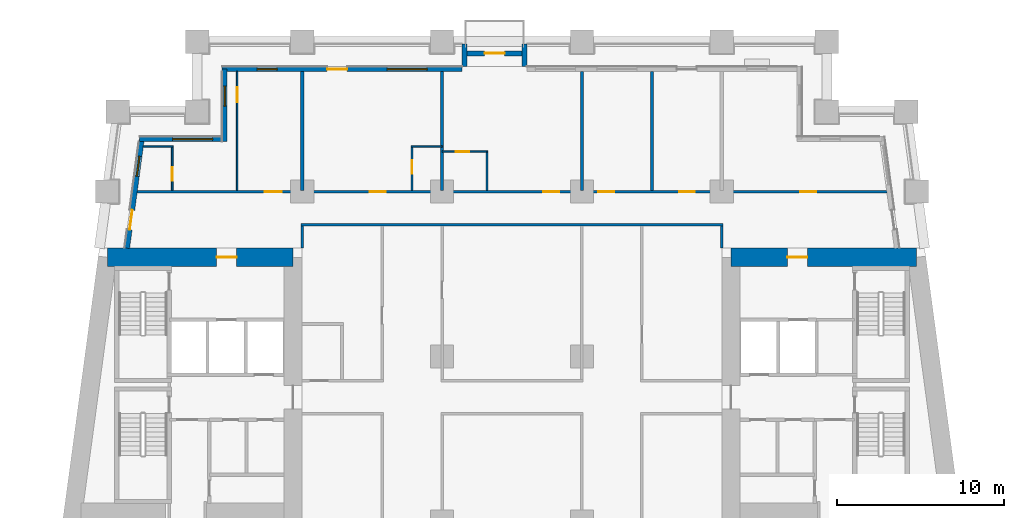
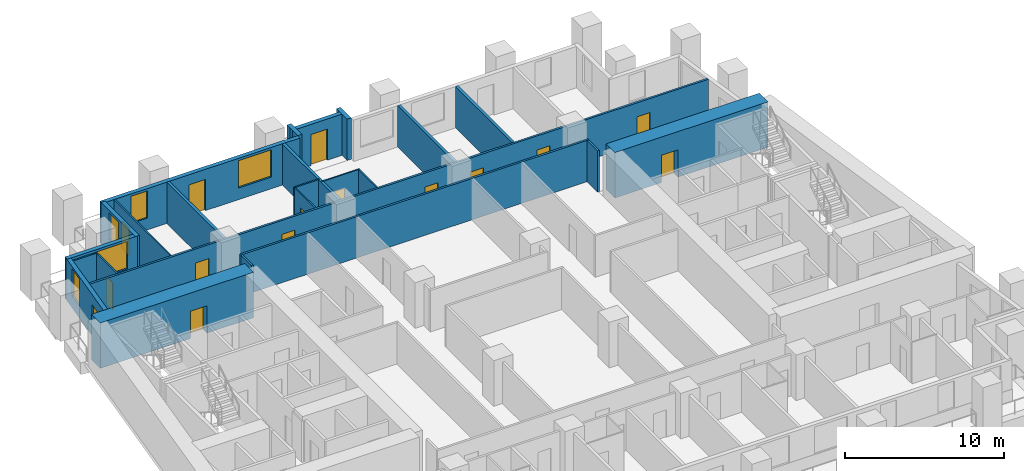
# One storey, part 6 of 12: 24 walls, 15 doors, 5 windows, 20 openings.
"""IFC4 building model written with IfcOpenShell, lengths in metres."""

from ifc_helpers import new_model, si_unit, direction, frame, frame_2d, origin, place, context, subcontext, project, spatial, rectangle, extrude, material, layer, layer_set, type_object, element, fill, save


model = new_model("IFC4")

# Units and contexts
model_context = context("Model", 3, precision=1e-05, world=origin(), true_north=direction((0.0, 1.0)))
body_context = subcontext(model_context, "Body", "Model", "MODEL_VIEW")
ifc_project = project(units=[si_unit("LENGTHUNIT", "METRE"), si_unit("AREAUNIT", "SQUARE_METRE"), si_unit("VOLUMEUNIT", "CUBIC_METRE"), si_unit("PLANEANGLEUNIT", "RADIAN"), si_unit("MASSUNIT", "GRAM", prefix="KILO")], contexts=[model_context])

# Site, building, storey
site_placement = place(None, origin())
site = spatial("IfcSite", under=ifc_project, at=site_placement, CompositionType="ELEMENT")
building_placement = place(site_placement, origin())
building = spatial("IfcBuilding", under=site, at=building_placement, Name="Candeia Pilgrim Tower and Theatre", CompositionType="ELEMENT")
storey_placement = place(building_placement, frame((0.0, 0.0, 53.0)))
storey = spatial("IfcBuildingStorey", under=building, at=storey_placement, Name="L10", CompositionType="ELEMENT", Elevation=53.0)

# Wall, opening, door
ifc_material_1 = material(Name="Concrete C80/95", Category="concrete")
ifc_layer_1 = layer(ifc_material_1, 1.10009765625)
ifc_layer_set_1 = layer_set([ifc_layer_1], Name="Core wall 1100 C80/95")
wall_type_1 = type_object("IfcWallType", Name="Core wall 1100 C80/95", PredefinedType="SHEAR", material=ifc_layer_set_1)
wall_1_placement = place(storey_placement, frame((89.111572265625, 131.85009765625, 0.0), z_axis=(0.0, 0.0, 1.0), x_axis=(1.0, 0.0, 0.0)))
wall_1 = element("IfcWall", 1, at=wall_1_placement, inside=storey, type_object=wall_type_1, Name="Core wall W1", PredefinedType="SHEAR", context=body_context, shape_type="SweptSolid", body=[
    extrude(rectangle(XDim=11.138427734375, YDim=1.10009765625, at=frame_2d((5.5693359375, 0.0))), origin(), (0.0, 0.0, 1.0), 3.5),
])
opening_1_placement = place(wall_1_placement, frame((6.5517578125, 0.0, 0.0)))
opening_1 = element("IfcOpeningElement", 2, at=opening_1_placement, cuts=wall_1, Name="Opening L10-D053", PredefinedType="OPENING", context=body_context, shape_type="SweptSolid", body=[
    extrude(rectangle(XDim=1.199951171875, YDim=2.10009765625, at=frame_2d((0.60009765625, 1.050048828125))), frame((0.0, 0.56005859375, 0.0), z_axis=(0.0, -1.0, 0.0), x_axis=(1.0, 0.0, 0.0)), (0.0, 0.0, 1.0), 1.1201171875),
])
ifc_material_2 = material(Name="Steel fire door set", Category="steel")
door_type_1 = type_object("IfcDoorType", Name="D-1200-FD60", OperationType="NOTDEFINED", PredefinedType="DOOR", material=ifc_material_2)
door_1_placement = place(opening_1_placement, origin())
door_1 = element("IfcDoor", 3, at=door_1_placement, inside=storey, type_object=door_type_1, Name="Door L10-D053", OperationType="SINGLE_SWING_LEFT", OverallHeight=2.10009765625, OverallWidth=1.199951171875, PredefinedType="DOOR", context=body_context, shape_type="SweptSolid", body=[
    extrude(rectangle(XDim=1.199951171875, YDim=2.10009765625, at=frame_2d((0.60009765625, 1.050048828125))), frame((0.0, 0.02490234375, 0.0), z_axis=(0.0, -1.0, 0.0), x_axis=(1.0, 0.0, 0.0)), (0.0, 0.0, 1.0), 0.050048828125),
])
fill(opening_1, door_1)

wall_2_placement = place(storey_placement, frame((126.550048828125, 131.85009765625, 0.0), z_axis=(0.0, 0.0, 1.0), x_axis=(1.0, 0.0, 0.0)))
wall_2 = element("IfcWall", 4, at=wall_2_placement, inside=storey, type_object=wall_type_1, Name="Core wall E1", PredefinedType="SHEAR", context=body_context, shape_type="SweptSolid", body=[
    extrude(rectangle(XDim=11.13818359375, YDim=1.10009765625, at=frame_2d((5.569091796875, 0.0))), origin(), (0.0, 0.0, 1.0), 3.5),
])
opening_2_placement = place(wall_2_placement, frame((3.386474609375, 0.0, 0.0)))
opening_2 = element("IfcOpeningElement", 5, at=opening_2_placement, cuts=wall_2, Name="Opening L10-D056", PredefinedType="OPENING", context=body_context, shape_type="SweptSolid", body=[
    extrude(rectangle(XDim=1.199951171875, YDim=2.10009765625, at=frame_2d((0.60009765625, 1.050048828125))), frame((0.0, 0.56005859375, 0.0), z_axis=(0.0, -1.0, 0.0), x_axis=(1.0, 0.0, 0.0)), (0.0, 0.0, 1.0), 1.1201171875),
])
door_2_placement = place(opening_2_placement, origin())
door_2 = element("IfcDoor", 6, at=door_2_placement, inside=storey, type_object=door_type_1, Name="Door L10-D056", OperationType="SINGLE_SWING_RIGHT", OverallHeight=2.10009765625, OverallWidth=1.199951171875, PredefinedType="DOOR", context=body_context, shape_type="SweptSolid", body=[
    extrude(rectangle(XDim=1.199951171875, YDim=2.10009765625, at=frame_2d((0.60009765625, 1.050048828125))), frame((0.0, 0.02490234375, 0.0), z_axis=(0.0, -1.0, 0.0), x_axis=(1.0, 0.0, 0.0)), (0.0, 0.0, 1.0), 0.050048828125),
])
fill(opening_2, door_2)

# Wall, openings, door, windows
ifc_material_3 = material(Name="Ceramic block masonry", Category="masonry")
ifc_layer_2 = layer(ifc_material_3, 0.300048828125)
ifc_layer_set_2 = layer_set([ifc_layer_2], Name="EW1 glazing-line wall 300")
wall_type_2 = type_object("IfcWallType", Name="EW1 glazing-line wall 300", PredefinedType="SOLIDWALL", material=ifc_layer_set_2)
wall_3_placement = place(storey_placement, frame((110.39990234375, 143.14990234375, 0.0), z_axis=(0.0, 0.0, 1.0), x_axis=(-1.0, 0.0, 0.0)))
wall_3 = element("IfcWall", 7, at=wall_3_placement, inside=storey, type_object=wall_type_2, Name="External wall L10-6.1", PredefinedType="SOLIDWALL", context=body_context, shape_type="SweptSolid", body=[
    extrude(rectangle(XDim=14.39990234375, YDim=0.300048828125, at=frame_2d((7.199951171875, 0.0))), origin(), (0.0, 0.0, 1.0), 3.179931640625),
])
opening_3_placement = place(wall_3_placement, frame((2.10009765625, 0.0, 0.89990234375)))
opening_3 = element("IfcOpeningElement", 8, at=opening_3_placement, cuts=wall_3, Name="Opening W-A", PredefinedType="OPENING", context=body_context, shape_type="SweptSolid", body=[
    extrude(rectangle(XDim=2.39990234375, YDim=2.10009765625, at=frame_2d((1.199951171875, 1.050048828125))), frame((0.0, 0.16015625, 0.0), z_axis=(0.0, -1.0, 0.0), x_axis=(1.0, 0.0, 0.0)), (0.0, 0.0, 1.0), 0.320068359375),
])
opening_4_placement = place(wall_3_placement, frame((6.89990234375, 0.0, 0.0)))
opening_4 = element("IfcOpeningElement", 9, at=opening_4_placement, cuts=wall_3, Name="Opening L10-ED124", PredefinedType="OPENING", context=body_context, shape_type="SweptSolid", body=[
    extrude(rectangle(XDim=1.199951171875, YDim=2.39990234375, at=frame_2d((0.60009765625, 1.199951171875))), frame((0.0, 0.16015625, 0.0), z_axis=(0.0, -1.0, 0.0), x_axis=(1.0, 0.0, 0.0)), (0.0, 0.0, 1.0), 0.320068359375),
])
opening_5_placement = place(wall_3_placement, frame((11.10009765625, 0.0, 0.89990234375)))
opening_5 = element("IfcOpeningElement", 10, at=opening_5_placement, cuts=wall_3, Name="Opening W-B", PredefinedType="OPENING", context=body_context, shape_type="SweptSolid", body=[
    extrude(rectangle(XDim=1.199951171875, YDim=2.10009765625, at=frame_2d((0.60009765625, 1.050048828125))), frame((0.0, 0.16015625, 0.0), z_axis=(0.0, -1.0, 0.0), x_axis=(1.0, 0.0, 0.0)), (0.0, 0.0, 1.0), 0.320068359375),
])
ifc_material_4 = material(Name="Aluminium framed glazed door", Category="aluminium")
door_type_2 = type_object("IfcDoorType", Name="Loggia door 1200x2400", OperationType="DOUBLE_DOOR_SINGLE_SWING", PredefinedType="DOOR", material=ifc_material_4)
door_3_placement = place(opening_4_placement, origin())
door_3 = element("IfcDoor", 11, at=door_3_placement, inside=storey, type_object=door_type_2, Name="Loggia door L10-ED124", OperationType="DOUBLE_DOOR_SINGLE_SWING", OverallHeight=2.39990234375, OverallWidth=1.199951171875, PredefinedType="DOOR", context=body_context, shape_type="SweptSolid", body=[
    extrude(rectangle(XDim=1.199951171875, YDim=2.39990234375, at=frame_2d((0.60009765625, 1.199951171875))), frame((0.0, 0.02490234375, 0.0), z_axis=(0.0, -1.0, 0.0), x_axis=(1.0, 0.0, 0.0)), (0.0, 0.0, 1.0), 0.050048828125),
])
fill(opening_4, door_3)
ifc_material_5 = material(Name="Aluminium framed double glazing", Category="aluminium")
window_type_1 = type_object("IfcWindowType", Name="W-A window 2400x2100", PartitioningType="DOUBLE_PANEL_VERTICAL", PredefinedType="WINDOW", material=ifc_material_5)
window_1_placement = place(opening_3_placement, origin())
window_1 = element("IfcWindow", 12, at=window_1_placement, inside=storey, type_object=window_type_1, Name="Window W-A L10", OverallHeight=2.10009765625, OverallWidth=2.39990234375, PartitioningType="SINGLE_PANEL", PredefinedType="WINDOW", context=body_context, shape_type="SweptSolid", body=[
    extrude(rectangle(XDim=2.39990234375, YDim=2.10009765625, at=frame_2d((1.199951171875, 1.050048828125))), frame((0.0, 0.030029296875, 0.0), z_axis=(0.0, -1.0, 0.0), x_axis=(1.0, 0.0, 0.0)), (0.0, 0.0, 1.0), 0.06005859375),
])
fill(opening_3, window_1)
window_type_2 = type_object("IfcWindowType", Name="W-B window 1200x2100", PartitioningType="SINGLE_PANEL", PredefinedType="WINDOW", material=ifc_material_5)
window_2_placement = place(opening_5_placement, origin())
window_2 = element("IfcWindow", 13, at=window_2_placement, inside=storey, type_object=window_type_2, Name="Window W-B L10", OverallHeight=2.10009765625, OverallWidth=1.199951171875, PartitioningType="SINGLE_PANEL", PredefinedType="WINDOW", context=body_context, shape_type="SweptSolid", body=[
    extrude(rectangle(XDim=1.199951171875, YDim=2.10009765625, at=frame_2d((0.60009765625, 1.050048828125))), frame((0.0, 0.030029296875, 0.0), z_axis=(0.0, -1.0, 0.0), x_axis=(1.0, 0.0, 0.0)), (0.0, 0.0, 1.0), 0.06005859375),
])
fill(opening_5, window_2)

# Wall, opening, window
wall_4_placement = place(storey_placement, frame((96.14990234375, 143.14990234375, 0.0), z_axis=(0.0, 0.0, 1.0), x_axis=(0.0, -1.0, 0.0)))
wall_4 = element("IfcWall", 14, at=wall_4_placement, inside=storey, type_object=wall_type_2, Name="External wall L10-7.0", PredefinedType="SOLIDWALL", context=body_context, shape_type="SweptSolid", body=[
    extrude(rectangle(XDim=4.349853515625, YDim=0.300048828125, at=frame_2d((2.1748046875, 0.0))), origin(), (0.0, 0.0, 1.0), 3.179931640625),
])
opening_6_placement = place(wall_4_placement, frame((1.02490234375, 0.0, 0.89990234375)))
opening_6 = element("IfcOpeningElement", 15, at=opening_6_placement, cuts=wall_4, Name="Opening W-B", PredefinedType="OPENING", context=body_context, shape_type="SweptSolid", body=[
    extrude(rectangle(XDim=1.199951171875, YDim=2.10009765625, at=frame_2d((0.60009765625, 1.050048828125))), frame((0.0, 0.16015625, 0.0), z_axis=(0.0, -1.0, 0.0), x_axis=(1.0, 0.0, 0.0)), (0.0, 0.0, 1.0), 0.320068359375),
])
window_3_placement = place(opening_6_placement, origin())
window_3 = element("IfcWindow", 16, at=window_3_placement, inside=storey, type_object=window_type_2, Name="Window W-B L10", OverallHeight=2.10009765625, OverallWidth=1.199951171875, PartitioningType="SINGLE_PANEL", PredefinedType="WINDOW", context=body_context, shape_type="SweptSolid", body=[
    extrude(rectangle(XDim=1.199951171875, YDim=2.10009765625, at=frame_2d((0.60009765625, 1.050048828125))), frame((0.0, 0.030029296875, 0.0), z_axis=(0.0, -1.0, 0.0), x_axis=(1.0, 0.0, 0.0)), (0.0, 0.0, 1.0), 0.06005859375),
])
fill(opening_6, window_3)

wall_5_placement = place(storey_placement, frame((96.14990234375, 138.949951171875, 0.0), z_axis=(0.0, 0.0, 1.0), x_axis=(-1.0, 0.0, 0.0)))
wall_5 = element("IfcWall", 17, at=wall_5_placement, inside=storey, type_object=wall_type_2, Name="External wall L10-8.0", PredefinedType="SOLIDWALL", context=body_context, shape_type="SweptSolid", body=[
    extrude(rectangle(XDim=5.103759765625, YDim=0.300048828125, at=frame_2d((2.5517578125, 0.0))), origin(), (0.0, 0.0, 1.0), 3.179931640625),
])
opening_7_placement = place(wall_5_placement, frame((0.72509765625, 0.0, 0.89990234375)))
opening_7 = element("IfcOpeningElement", 18, at=opening_7_placement, cuts=wall_5, Name="Opening W-A", PredefinedType="OPENING", context=body_context, shape_type="SweptSolid", body=[
    extrude(rectangle(XDim=2.39990234375, YDim=2.10009765625, at=frame_2d((1.199951171875, 1.050048828125))), frame((0.0, 0.16015625, 0.0), z_axis=(0.0, -1.0, 0.0), x_axis=(1.0, 0.0, 0.0)), (0.0, 0.0, 1.0), 0.320068359375),
])
window_4_placement = place(opening_7_placement, origin())
window_4 = element("IfcWindow", 19, at=window_4_placement, inside=storey, type_object=window_type_1, Name="Window W-A L10", OverallHeight=2.10009765625, OverallWidth=2.39990234375, PartitioningType="SINGLE_PANEL", PredefinedType="WINDOW", context=body_context, shape_type="SweptSolid", body=[
    extrude(rectangle(XDim=2.39990234375, YDim=2.10009765625, at=frame_2d((1.199951171875, 1.050048828125))), frame((0.0, 0.030029296875, 0.0), z_axis=(0.0, -1.0, 0.0), x_axis=(1.0, 0.0, 0.0)), (0.0, 0.0, 1.0), 0.06005859375),
])
fill(opening_7, window_4)

# Wall, openings, door, window
wall_6_placement = place(storey_placement, frame((91.177490234375, 138.949951171875, 0.0), z_axis=(0.0, 0.0, 1.0), x_axis=(-0.133426664613, -0.991058689065, 0.0)))
wall_6 = element("IfcWall", 20, at=wall_6_placement, inside=storey, type_object=wall_type_2, Name="External wall L10-9.0", PredefinedType="SOLIDWALL", context=body_context, shape_type="SweptSolid", body=[
    extrude(rectangle(XDim=6.609130859375, YDim=0.300048828125, at=frame_2d((3.3046875, 0.0))), origin(), (0.0, 0.0, 1.0), 3.179931640625),
])
opening_8_placement = place(wall_6_placement, frame((1.039306640625, 0.0, 0.89990234375)))
opening_8 = element("IfcOpeningElement", 21, at=opening_8_placement, cuts=wall_6, Name="Opening W-B", PredefinedType="OPENING", context=body_context, shape_type="SweptSolid", body=[
    extrude(rectangle(XDim=1.199951171875, YDim=2.10009765625, at=frame_2d((0.60009765625, 1.050048828125))), frame((0.0, 0.16015625, 0.0), z_axis=(0.0, -1.0, 0.0), x_axis=(1.0, 0.0, 0.0)), (0.0, 0.0, 1.0), 0.320068359375),
])
opening_9_placement = place(wall_6_placement, frame((4.293701171875, 0.0, 0.0)))
opening_9 = element("IfcOpeningElement", 22, at=opening_9_placement, cuts=wall_6, Name="Opening L10-ED126", PredefinedType="OPENING", context=body_context, shape_type="SweptSolid", body=[
    extrude(rectangle(XDim=1.199951171875, YDim=2.39990234375, at=frame_2d((0.60009765625, 1.199951171875))), frame((0.0, 0.16015625, 0.0), z_axis=(0.0, -1.0, 0.0), x_axis=(1.0, 0.0, 0.0)), (0.0, 0.0, 1.0), 0.320068359375),
])
door_4_placement = place(opening_9_placement, origin())
door_4 = element("IfcDoor", 23, at=door_4_placement, inside=storey, type_object=door_type_2, Name="Loggia door L10-ED126", OperationType="DOUBLE_DOOR_SINGLE_SWING", OverallHeight=2.39990234375, OverallWidth=1.199951171875, PredefinedType="DOOR", context=body_context, shape_type="SweptSolid", body=[
    extrude(rectangle(XDim=1.199951171875, YDim=2.39990234375, at=frame_2d((0.60009765625, 1.199951171875))), frame((0.0, 0.02490234375, 0.0), z_axis=(0.0, -1.0, 0.0), x_axis=(1.0, 0.0, 0.0)), (0.0, 0.0, 1.0), 0.050048828125),
])
fill(opening_9, door_4)
window_5_placement = place(opening_8_placement, origin())
window_5 = element("IfcWindow", 24, at=window_5_placement, inside=storey, type_object=window_type_2, Name="Window W-B L10", OverallHeight=2.10009765625, OverallWidth=1.199951171875, PartitioningType="SINGLE_PANEL", PredefinedType="WINDOW", context=body_context, shape_type="SweptSolid", body=[
    extrude(rectangle(XDim=1.199951171875, YDim=2.10009765625, at=frame_2d((0.60009765625, 1.050048828125))), frame((0.0, 0.030029296875, 0.0), z_axis=(0.0, -1.0, 0.0), x_axis=(1.0, 0.0, 0.0)), (0.0, 0.0, 1.0), 0.06005859375),
])
fill(opening_8, window_5)

# Walls
ifc_layer_3 = layer(ifc_material_3, 0.300048828125)
ifc_layer_set_3 = layer_set([ifc_layer_3], Name="EW2 entrance infill wall 300")
wall_type_3 = type_object("IfcWallType", Name="EW2 entrance infill wall 300", PredefinedType="SOLIDWALL", material=ifc_layer_set_3)
for number, where, z_axis, x_axis, name in (
    (25, (114.14990234375, 143.300048828125, 0.0), (0.0, 0.0, 1.0), (0.0, 1.0, 0.0), "Alcove wall L10"),
    (26, (110.550048828125, 143.300048828125, 0.0), (0.0, 0.0, 1.0), (0.0, 1.0, 0.0), "Alcove wall L10"),
):
    element("IfcWall", number, at=place(storey_placement, frame(where, z_axis=z_axis, x_axis=x_axis)), inside=storey, type_object=wall_type_3, Name=name, PredefinedType="SOLIDWALL", context=body_context, shape_type="SweptSolid", body=[
        extrude(rectangle(XDim=1.349853515625, YDim=0.300048828125, at=frame_2d((0.6748046875, 0.0))), origin(), (0.0, 0.0, 1.0), 3.179931640625),
    ])

# Wall, opening, door
wall_7_placement = place(storey_placement, frame((114.300048828125, 144.10009765625, 0.0), z_axis=(0.0, 0.0, 1.0), x_axis=(-1.0, 0.0, 0.0)))
wall_7 = element("IfcWall", 27, at=wall_7_placement, inside=storey, type_object=wall_type_3, Name="Alcove wall L10", PredefinedType="SOLIDWALL", context=body_context, shape_type="SweptSolid", body=[
    extrude(rectangle(XDim=3.900146484375, YDim=0.300048828125, at=frame_2d((1.9501953125, 0.0))), origin(), (0.0, 0.0, 1.0), 3.179931640625),
])
opening_10_placement = place(wall_7_placement, frame((1.35009765625, 0.0, 0.0)))
opening_10 = element("IfcOpeningElement", 28, at=opening_10_placement, cuts=wall_7, Name="Opening L10-ED125", PredefinedType="OPENING", context=body_context, shape_type="SweptSolid", body=[
    extrude(rectangle(XDim=1.199951171875, YDim=2.39990234375, at=frame_2d((0.60009765625, 1.199951171875))), frame((0.0, 0.16015625, 0.0), z_axis=(0.0, -1.0, 0.0), x_axis=(1.0, 0.0, 0.0)), (0.0, 0.0, 1.0), 0.320068359375),
])
door_5_placement = place(opening_10_placement, origin())
door_5 = element("IfcDoor", 29, at=door_5_placement, inside=storey, type_object=door_type_2, Name="Balcony door L10-ED125", OperationType="DOUBLE_DOOR_SINGLE_SWING", OverallHeight=2.39990234375, OverallWidth=1.199951171875, PredefinedType="DOOR", context=body_context, shape_type="SweptSolid", body=[
    extrude(rectangle(XDim=1.199951171875, YDim=2.39990234375, at=frame_2d((0.60009765625, 1.199951171875))), frame((0.0, 0.02490234375, 0.0), z_axis=(0.0, -1.0, 0.0), x_axis=(1.0, 0.0, 0.0)), (0.0, 0.0, 1.0), 0.050048828125),
])
fill(opening_10, door_5)

ifc_material_6 = material(Name="Gypsum board partition on steel studs", Category="steel")
ifc_layer_4 = layer(ifc_material_6, 0.10009765625)
ifc_layer_set_4 = layer_set([ifc_layer_4], Name="PW-100 room partition")
wall_type_4 = type_object("IfcWallType", Name="PW-100 room partition", PredefinedType="PARTITIONING", material=ifc_layer_set_4)
wall_8_placement = place(storey_placement, frame((109.199951171875, 138.199951171875, 0.0), z_axis=(0.0, 0.0, 1.0), x_axis=(1.0, 0.0, 0.0)))
wall_8 = element("IfcWall", 30, at=wall_8_placement, inside=storey, type_object=wall_type_4, Name="Room partition L10-043", PredefinedType="PARTITIONING", context=body_context, shape_type="SweptSolid", body=[
    extrude(rectangle(XDim=2.75, YDim=0.10009765625, at=frame_2d((1.375, 0.0))), origin(), (0.0, 0.0, 1.0), 3.179931640625),
])
opening_11_placement = place(wall_8_placement, frame((0.830078125, 0.0, 0.0)))
opening_11 = element("IfcOpeningElement", 31, at=opening_11_placement, cuts=wall_8, Name="Opening L10-D041", PredefinedType="OPENING", context=body_context, shape_type="SweptSolid", body=[
    extrude(rectangle(XDim=0.800048828125, YDim=2.10009765625, at=frame_2d((0.39990234375, 1.050048828125))), frame((0.0, 0.06005859375, 0.0), z_axis=(0.0, -1.0, 0.0), x_axis=(1.0, 0.0, 0.0)), (0.0, 0.0, 1.0), 0.1201171875),
])
ifc_material_7 = material(Name="Timber door leaf", Category="wood")
door_type_3 = type_object("IfcDoorType", Name="D-800", OperationType="NOTDEFINED", PredefinedType="DOOR", material=ifc_material_7)
door_6_placement = place(opening_11_placement, origin())
door_6 = element("IfcDoor", 32, at=door_6_placement, inside=storey, type_object=door_type_3, Name="Door L10-D041", OperationType="SINGLE_SWING_LEFT", OverallHeight=2.10009765625, OverallWidth=0.800048828125, PredefinedType="DOOR", context=body_context, shape_type="SweptSolid", body=[
    extrude(rectangle(XDim=0.800048828125, YDim=2.10009765625, at=frame_2d((0.39990234375, 1.050048828125))), frame((0.0, 0.02490234375, 0.0), z_axis=(0.0, -1.0, 0.0), x_axis=(1.0, 0.0, 0.0)), (0.0, 0.0, 1.0), 0.050048828125),
])
fill(opening_11, door_6)

# Walls
wall_9_placement = place(storey_placement, frame((91.258056640625, 138.5, 0.0), z_axis=(0.0, 0.0, 1.0), x_axis=(1.0, 0.0, 0.0)))
element("IfcWall", 33, at=wall_9_placement, inside=storey, type_object=wall_type_4, Name="Room partition L10-044", PredefinedType="PARTITIONING", context=body_context, shape_type="SweptSolid", body=[
    extrude(rectangle(XDim=1.7919921875, YDim=0.10009765625, at=frame_2d((0.89599609375, 0.0))), origin(), (0.0, 0.0, 1.0), 3.179931640625),
])
wall_10_placement = place(storey_placement, frame((107.35009765625, 138.5, 0.0), z_axis=(0.0, 0.0, 1.0), x_axis=(1.0, 0.0, 0.0)))
element("IfcWall", 34, at=wall_10_placement, inside=storey, type_object=wall_type_4, Name="Room partition L10-045", PredefinedType="PARTITIONING", context=body_context, shape_type="SweptSolid", body=[
    extrude(rectangle(XDim=1.849853515625, YDim=0.10009765625, at=frame_2d((0.9248046875, 0.0))), origin(), (0.0, 0.0, 1.0), 3.179931640625),
])

# Wall, opening, door
wall_11_placement = place(storey_placement, frame((93.0, 135.875, 0.0), z_axis=(0.0, 0.0, 1.0), x_axis=(0.0, 1.0, 0.0)))
wall_11 = element("IfcWall", 35, at=wall_11_placement, inside=storey, type_object=wall_type_4, Name="Room partition L10-058", PredefinedType="PARTITIONING", context=body_context, shape_type="SweptSolid", body=[
    extrude(rectangle(XDim=2.574951171875, YDim=0.10009765625, at=frame_2d((1.28759765625, 0.0))), origin(), (0.0, 0.0, 1.0), 3.179931640625),
])
opening_12_placement = place(wall_11_placement, frame((0.574951171875, 0.0, 0.0)))
opening_12 = element("IfcOpeningElement", 36, at=opening_12_placement, cuts=wall_11, Name="Opening L10-D037", PredefinedType="OPENING", context=body_context, shape_type="SweptSolid", body=[
    extrude(rectangle(XDim=0.800048828125, YDim=2.10009765625, at=frame_2d((0.39990234375, 1.050048828125))), frame((0.0, 0.06005859375, 0.0), z_axis=(0.0, -1.0, 0.0), x_axis=(1.0, 0.0, 0.0)), (0.0, 0.0, 1.0), 0.1201171875),
])
door_7_placement = place(opening_12_placement, origin())
door_7 = element("IfcDoor", 37, at=door_7_placement, inside=storey, type_object=door_type_3, Name="Door L10-D037", OperationType="SINGLE_SWING_LEFT", OverallHeight=2.10009765625, OverallWidth=0.800048828125, PredefinedType="DOOR", context=body_context, shape_type="SweptSolid", body=[
    extrude(rectangle(XDim=0.800048828125, YDim=2.10009765625, at=frame_2d((0.39990234375, 1.050048828125))), frame((0.0, 0.02490234375, 0.0), z_axis=(0.0, -1.0, 0.0), x_axis=(1.0, 0.0, 0.0)), (0.0, 0.0, 1.0), 0.050048828125),
])
fill(opening_12, door_7)

wall_12_placement = place(storey_placement, frame((96.89990234375, 135.875, 0.0), z_axis=(0.0, 0.0, 1.0), x_axis=(0.0, 1.0, 0.0)))
wall_12 = element("IfcWall", 38, at=wall_12_placement, inside=storey, type_object=wall_type_4, Name="Room partition L10-064", PredefinedType="PARTITIONING", context=body_context, shape_type="SweptSolid", body=[
    extrude(rectangle(XDim=7.135009765625, YDim=0.10009765625, at=frame_2d((3.5673828125, 0.0))), origin(), (0.0, 0.0, 1.0), 3.179931640625),
])
opening_13_placement = place(wall_12_placement, frame((5.2900390625, 0.0, 0.0)))
opening_13 = element("IfcOpeningElement", 39, at=opening_13_placement, cuts=wall_12, Name="Opening L10-D036", PredefinedType="OPENING", context=body_context, shape_type="SweptSolid", body=[
    extrude(rectangle(XDim=0.89990234375, YDim=2.10009765625, at=frame_2d((0.449951171875, 1.050048828125))), frame((0.0, 0.06005859375, 0.0), z_axis=(0.0, -1.0, 0.0), x_axis=(1.0, 0.0, 0.0)), (0.0, 0.0, 1.0), 0.1201171875),
])
door_type_4 = type_object("IfcDoorType", Name="D-900", OperationType="NOTDEFINED", PredefinedType="DOOR", material=ifc_material_7)
door_8_placement = place(opening_13_placement, origin())
door_8 = element("IfcDoor", 40, at=door_8_placement, inside=storey, type_object=door_type_4, Name="Door L10-D036", OperationType="SINGLE_SWING_RIGHT", OverallHeight=2.10009765625, OverallWidth=0.89990234375, PredefinedType="DOOR", context=body_context, shape_type="SweptSolid", body=[
    extrude(rectangle(XDim=0.89990234375, YDim=2.10009765625, at=frame_2d((0.449951171875, 1.050048828125))), frame((0.0, 0.02490234375, 0.0), z_axis=(0.0, -1.0, 0.0), x_axis=(1.0, 0.0, 0.0)), (0.0, 0.0, 1.0), 0.050048828125),
])
fill(opening_13, door_8)

wall_13_placement = place(storey_placement, frame((107.39990234375, 135.875, 0.0), z_axis=(0.0, 0.0, 1.0), x_axis=(0.0, 1.0, 0.0)))
wall_13 = element("IfcWall", 41, at=wall_13_placement, inside=storey, type_object=wall_type_4, Name="Room partition L10-078", PredefinedType="PARTITIONING", context=body_context, shape_type="SweptSolid", body=[
    extrude(rectangle(XDim=2.574951171875, YDim=0.10009765625, at=frame_2d((1.28759765625, 0.0))), origin(), (0.0, 0.0, 1.0), 3.179931640625),
])
opening_14_placement = place(wall_13_placement, frame((0.9951171875, 0.0, 0.0)))
opening_14 = element("IfcOpeningElement", 42, at=opening_14_placement, cuts=wall_13, Name="Opening L10-D039", PredefinedType="OPENING", context=body_context, shape_type="SweptSolid", body=[
    extrude(rectangle(XDim=0.800048828125, YDim=2.10009765625, at=frame_2d((0.39990234375, 1.050048828125))), frame((0.0, 0.06005859375, 0.0), z_axis=(0.0, -1.0, 0.0), x_axis=(1.0, 0.0, 0.0)), (0.0, 0.0, 1.0), 0.1201171875),
])
door_9_placement = place(opening_14_placement, origin())
door_9 = element("IfcDoor", 43, at=door_9_placement, inside=storey, type_object=door_type_3, Name="Door L10-D039", OperationType="SINGLE_SWING_LEFT", OverallHeight=2.10009765625, OverallWidth=0.800048828125, PredefinedType="DOOR", context=body_context, shape_type="SweptSolid", body=[
    extrude(rectangle(XDim=0.800048828125, YDim=2.10009765625, at=frame_2d((0.39990234375, 1.050048828125))), frame((0.0, 0.02490234375, 0.0), z_axis=(0.0, -1.0, 0.0), x_axis=(1.0, 0.0, 0.0)), (0.0, 0.0, 1.0), 0.050048828125),
])
fill(opening_14, door_9)

# Walls
wall_14_placement = place(storey_placement, frame((111.89990234375, 135.875, 0.0), z_axis=(0.0, 0.0, 1.0), x_axis=(0.0, 1.0, 0.0)))
element("IfcWall", 44, at=wall_14_placement, inside=storey, type_object=wall_type_4, Name="Room partition L10-084", PredefinedType="PARTITIONING", context=body_context, shape_type="SweptSolid", body=[
    extrude(rectangle(XDim=2.27490234375, YDim=0.10009765625, at=frame_2d((1.137451171875, 0.0))), origin(), (0.0, 0.0, 1.0), 3.179931640625),
])
ifc_layer_5 = layer(ifc_material_6, 0.14990234375)
ifc_layer_set_5 = layer_set([ifc_layer_5], Name="PW-150 unit wall")
wall_type_5 = type_object("IfcWallType", Name="PW-150 unit wall", PredefinedType="PARTITIONING", material=ifc_layer_set_5)
wall_15_placement = place(storey_placement, frame((100.72509765625, 133.800048828125, 0.0), z_axis=(0.0, 0.0, 1.0), x_axis=(1.0, 0.0, 0.0)))
element("IfcWall", 45, at=wall_15_placement, inside=storey, type_object=wall_type_5, Name="Unit wall L10-041", PredefinedType="PARTITIONING", context=body_context, shape_type="SweptSolid", body=[
    extrude(rectangle(XDim=25.349853515625, YDim=0.14990234375, at=frame_2d((12.6748046875, 0.0))), origin(), (0.0, 0.0, 1.0), 3.179931640625),
])

# Wall, openings, doors
wall_16_placement = place(storey_placement, frame((90.89453125, 135.800048828125, 0.0), z_axis=(0.0, 0.0, 1.0), x_axis=(1.0, 0.0, 0.0)))
wall_16 = element("IfcWall", 46, at=wall_16_placement, inside=storey, type_object=wall_type_5, Name="Unit wall L10-042", PredefinedType="PARTITIONING", context=body_context, shape_type="SweptSolid", body=[
    extrude(rectangle(XDim=45.010986328125, YDim=0.14990234375, at=frame_2d((22.50537109375, 0.0))), origin(), (0.0, 0.0, 1.0), 3.179931640625),
])
opening_15_placement = place(wall_16_placement, frame((7.67529296875, 0.0, 0.0)))
opening_15 = element("IfcOpeningElement", 47, at=opening_15_placement, cuts=wall_16, Name="Opening L10-D035", PredefinedType="OPENING", context=body_context, shape_type="SweptSolid", body=[
    extrude(rectangle(XDim=1.0, YDim=2.10009765625, at=frame_2d((0.5, 1.050048828125))), frame((0.0, 0.0849609375, 0.0), z_axis=(0.0, -1.0, 0.0), x_axis=(1.0, 0.0, 0.0)), (0.0, 0.0, 1.0), 0.169921875),
])
opening_16_placement = place(wall_16_placement, frame((13.968505859375, 0.0, 0.0)))
opening_16 = element("IfcOpeningElement", 48, at=opening_16_placement, cuts=wall_16, Name="Opening L10-D038", PredefinedType="OPENING", context=body_context, shape_type="SweptSolid", body=[
    extrude(rectangle(XDim=0.949951171875, YDim=2.10009765625, at=frame_2d((0.47509765625, 1.050048828125))), frame((0.0, 0.0849609375, 0.0), z_axis=(0.0, -1.0, 0.0), x_axis=(1.0, 0.0, 0.0)), (0.0, 0.0, 1.0), 0.169921875),
])
opening_17_placement = place(wall_16_placement, frame((24.393310546875, 0.0, 0.0)))
opening_17 = element("IfcOpeningElement", 49, at=opening_17_placement, cuts=wall_16, Name="Opening L10-D040", PredefinedType="OPENING", context=body_context, shape_type="SweptSolid", body=[
    extrude(rectangle(XDim=0.949951171875, YDim=2.10009765625, at=frame_2d((0.47509765625, 1.050048828125))), frame((0.0, 0.0849609375, 0.0), z_axis=(0.0, -1.0, 0.0), x_axis=(1.0, 0.0, 0.0)), (0.0, 0.0, 1.0), 0.169921875),
])
opening_18_placement = place(wall_16_placement, frame((27.6923828125, 0.0, 0.0)))
opening_18 = element("IfcOpeningElement", 50, at=opening_18_placement, cuts=wall_16, Name="Opening L10-D042", PredefinedType="OPENING", context=body_context, shape_type="SweptSolid", body=[
    extrude(rectangle(XDim=0.949951171875, YDim=2.10009765625, at=frame_2d((0.47509765625, 1.050048828125))), frame((0.0, 0.0849609375, 0.0), z_axis=(0.0, -1.0, 0.0), x_axis=(1.0, 0.0, 0.0)), (0.0, 0.0, 1.0), 0.169921875),
])
opening_19_placement = place(wall_16_placement, frame((32.530517578125, 0.0, 0.0)))
opening_19 = element("IfcOpeningElement", 51, at=opening_19_placement, cuts=wall_16, Name="Opening L10-D043", PredefinedType="OPENING", context=body_context, shape_type="SweptSolid", body=[
    extrude(rectangle(XDim=0.949951171875, YDim=2.10009765625, at=frame_2d((0.47509765625, 1.050048828125))), frame((0.0, 0.0849609375, 0.0), z_axis=(0.0, -1.0, 0.0), x_axis=(1.0, 0.0, 0.0)), (0.0, 0.0, 1.0), 0.169921875),
])
opening_20_placement = place(wall_16_placement, frame((39.814453125, 0.0, 0.0)))
opening_20 = element("IfcOpeningElement", 52, at=opening_20_placement, cuts=wall_16, Name="Opening L10-D044", PredefinedType="OPENING", context=body_context, shape_type="SweptSolid", body=[
    extrude(rectangle(XDim=0.949951171875, YDim=2.10009765625, at=frame_2d((0.47509765625, 1.050048828125))), frame((0.0, 0.0849609375, 0.0), z_axis=(0.0, -1.0, 0.0), x_axis=(1.0, 0.0, 0.0)), (0.0, 0.0, 1.0), 0.169921875),
])
door_type_5 = type_object("IfcDoorType", Name="D-1000-FD30S", OperationType="NOTDEFINED", PredefinedType="DOOR", material=ifc_material_2)
door_10_placement = place(opening_15_placement, origin())
door_10 = element("IfcDoor", 53, at=door_10_placement, inside=storey, type_object=door_type_5, Name="Door L10-D035", OperationType="SINGLE_SWING_LEFT", OverallHeight=2.10009765625, OverallWidth=1.0, PredefinedType="DOOR", context=body_context, shape_type="SweptSolid", body=[
    extrude(rectangle(XDim=1.0, YDim=2.10009765625, at=frame_2d((0.5, 1.050048828125))), frame((0.0, 0.02490234375, 0.0), z_axis=(0.0, -1.0, 0.0), x_axis=(1.0, 0.0, 0.0)), (0.0, 0.0, 1.0), 0.050048828125),
])
fill(opening_15, door_10)
door_type_6 = type_object("IfcDoorType", Name="D-950-FD30S", OperationType="NOTDEFINED", PredefinedType="DOOR", material=ifc_material_2)
door_11_placement = place(opening_16_placement, origin())
door_11 = element("IfcDoor", 54, at=door_11_placement, inside=storey, type_object=door_type_6, Name="Door L10-D038", OperationType="SINGLE_SWING_RIGHT", OverallHeight=2.10009765625, OverallWidth=0.949951171875, PredefinedType="DOOR", context=body_context, shape_type="SweptSolid", body=[
    extrude(rectangle(XDim=0.949951171875, YDim=2.10009765625, at=frame_2d((0.47509765625, 1.050048828125))), frame((0.0, 0.02490234375, 0.0), z_axis=(0.0, -1.0, 0.0), x_axis=(1.0, 0.0, 0.0)), (0.0, 0.0, 1.0), 0.050048828125),
])
fill(opening_16, door_11)
door_12_placement = place(opening_17_placement, origin())
door_12 = element("IfcDoor", 55, at=door_12_placement, inside=storey, type_object=door_type_6, Name="Door L10-D040", OperationType="SINGLE_SWING_RIGHT", OverallHeight=2.10009765625, OverallWidth=0.949951171875, PredefinedType="DOOR", context=body_context, shape_type="SweptSolid", body=[
    extrude(rectangle(XDim=0.949951171875, YDim=2.10009765625, at=frame_2d((0.47509765625, 1.050048828125))), frame((0.0, 0.02490234375, 0.0), z_axis=(0.0, -1.0, 0.0), x_axis=(1.0, 0.0, 0.0)), (0.0, 0.0, 1.0), 0.050048828125),
])
fill(opening_17, door_12)
door_13_placement = place(opening_18_placement, origin())
door_13 = element("IfcDoor", 56, at=door_13_placement, inside=storey, type_object=door_type_6, Name="Door L10-D042", OperationType="SINGLE_SWING_RIGHT", OverallHeight=2.10009765625, OverallWidth=0.949951171875, PredefinedType="DOOR", context=body_context, shape_type="SweptSolid", body=[
    extrude(rectangle(XDim=0.949951171875, YDim=2.10009765625, at=frame_2d((0.47509765625, 1.050048828125))), frame((0.0, 0.02490234375, 0.0), z_axis=(0.0, -1.0, 0.0), x_axis=(1.0, 0.0, 0.0)), (0.0, 0.0, 1.0), 0.050048828125),
])
fill(opening_18, door_13)
door_14_placement = place(opening_19_placement, origin())
door_14 = element("IfcDoor", 57, at=door_14_placement, inside=storey, type_object=door_type_6, Name="Door L10-D043", OperationType="SINGLE_SWING_LEFT", OverallHeight=2.10009765625, OverallWidth=0.949951171875, PredefinedType="DOOR", context=body_context, shape_type="SweptSolid", body=[
    extrude(rectangle(XDim=0.949951171875, YDim=2.10009765625, at=frame_2d((0.47509765625, 1.050048828125))), frame((0.0, 0.02490234375, 0.0), z_axis=(0.0, -1.0, 0.0), x_axis=(1.0, 0.0, 0.0)), (0.0, 0.0, 1.0), 0.050048828125),
])
fill(opening_19, door_14)
door_15_placement = place(opening_20_placement, origin())
door_15 = element("IfcDoor", 58, at=door_15_placement, inside=storey, type_object=door_type_6, Name="Door L10-D044", OperationType="SINGLE_SWING_RIGHT", OverallHeight=2.10009765625, OverallWidth=0.949951171875, PredefinedType="DOOR", context=body_context, shape_type="SweptSolid", body=[
    extrude(rectangle(XDim=0.949951171875, YDim=2.10009765625, at=frame_2d((0.47509765625, 1.050048828125))), frame((0.0, 0.02490234375, 0.0), z_axis=(0.0, -1.0, 0.0), x_axis=(1.0, 0.0, 0.0)), (0.0, 0.0, 1.0), 0.050048828125),
])
fill(opening_20, door_15)

# Walls
for number, where, z_axis, x_axis, name in (
    (59, (100.800048828125, 132.39990234375, 0.0), (0.0, 0.0, 1.0), (0.0, 1.0, 0.0), "Unit wall L10-072"),
    (60, (126.0, 132.39990234375, 0.0), (0.0, 0.0, 1.0), (0.0, 1.0, 0.0), "Unit wall L10-098"),
):
    element("IfcWall", number, at=place(storey_placement, frame(where, z_axis=z_axis, x_axis=x_axis)), inside=storey, type_object=wall_type_5, Name=name, PredefinedType="PARTITIONING", context=body_context, shape_type="SweptSolid", body=[
        extrude(rectangle(XDim=1.3251953125, YDim=0.14990234375, at=frame_2d((0.66259765625, 0.0))), origin(), (0.0, 0.0, 1.0), 3.179931640625),
    ])
ifc_layer_6 = layer(ifc_material_6, 0.199951171875)
ifc_layer_set_6 = layer_set([ifc_layer_6], Name="PW-200 party wall")
wall_type_6 = type_object("IfcWallType", Name="PW-200 party wall", PredefinedType="PARTITIONING", material=ifc_layer_set_6)
for number, where, z_axis, x_axis, name in (
    (61, (100.800048828125, 135.875, 0.0), (0.0, 0.0, 1.0), (0.0, 1.0, 0.0), "Party wall L10-070"),
    (62, (109.199951171875, 135.875, 0.0), (0.0, 0.0, 1.0), (0.0, 1.0, 0.0), "Party wall L10-080"),
    (63, (117.60009765625, 135.875, 0.0), (0.0, 0.0, 1.0), (0.0, 1.0, 0.0), "Party wall L10-087"),
    (64, (121.800048828125, 135.875, 0.0), (0.0, 0.0, 1.0), (0.0, 1.0, 0.0), "Party wall L10-093"),
):
    element("IfcWall", number, at=place(storey_placement, frame(where, z_axis=z_axis, x_axis=x_axis)), inside=storey, type_object=wall_type_6, Name=name, PredefinedType="PARTITIONING", context=body_context, shape_type="SweptSolid", body=[
        extrude(rectangle(XDim=7.135009765625, YDim=0.199951171875, at=frame_2d((3.5673828125, 0.0))), origin(), (0.0, 0.0, 1.0), 3.179931640625),
    ])

save(model, "model.ifc")
